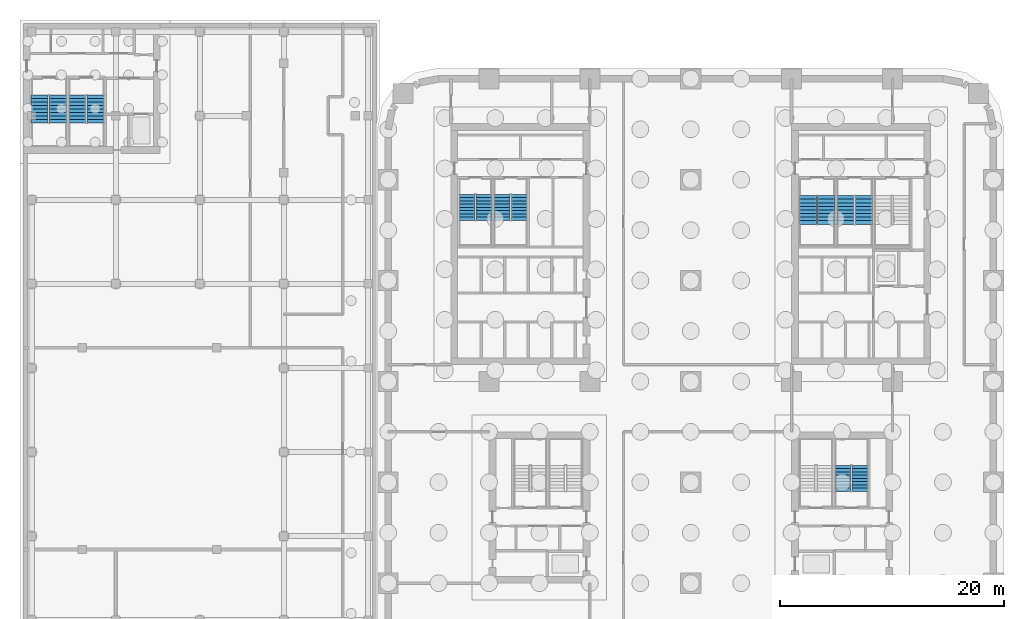
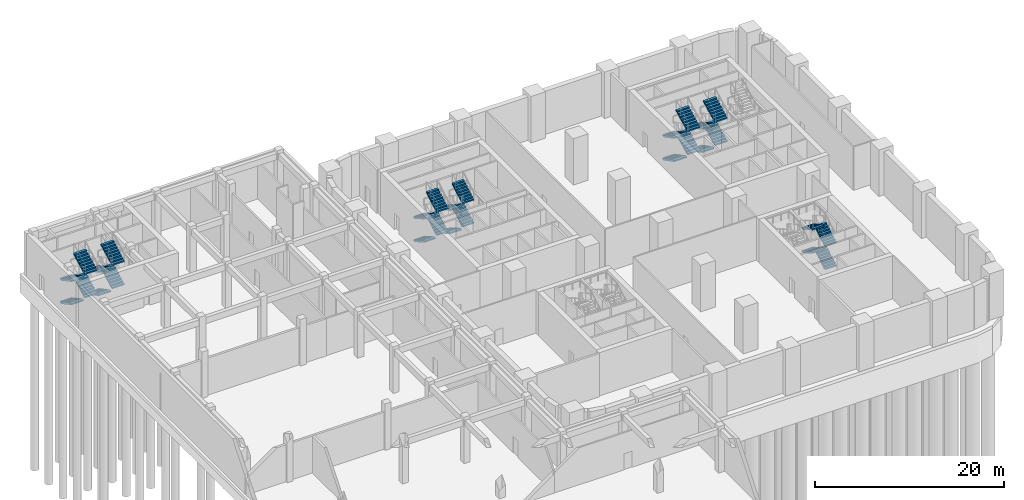
# One storey, part 16 of 26: 28 stair flights, 7 elements without a shape of their own.
"""IFC4 building model written with IfcOpenShell, lengths in metres."""

from ifc_helpers import new_model, si_unit, direction, frame, origin, place, context, subcontext, project, spatial, polyline, outline, extrude, material, type_object, element, aggregate, save


model = new_model("IFC4")

# Units and contexts
model_context = context("Model", 3, precision=1e-05, world=origin(), true_north=direction((0.0, 1.0)))
body_context = subcontext(model_context, "Body", "Model", "MODEL_VIEW")
ifc_project = project(units=[si_unit("LENGTHUNIT", "METRE"), si_unit("AREAUNIT", "SQUARE_METRE"), si_unit("VOLUMEUNIT", "CUBIC_METRE"), si_unit("PLANEANGLEUNIT", "RADIAN"), si_unit("MASSUNIT", "GRAM", prefix="KILO")], contexts=[model_context])

# Site, building, storey
site_placement = place(None, origin())
site = spatial("IfcSite", under=ifc_project, at=site_placement, CompositionType="ELEMENT")
building_placement = place(site_placement, origin())
building = spatial("IfcBuilding", under=site, at=building_placement, Name="Tessera Arch", CompositionType="ELEMENT")
storey_placement = place(building_placement, frame((0.0, 0.0, -6.0)))
storey = spatial("IfcBuildingStorey", under=building, at=storey_placement, Name="B1", CompositionType="ELEMENT", Elevation=-6.0)

# Stair, stair flights
ifc_material_1 = material(Name="Concrete C40/50", Category="concrete")
stair_type_1 = type_object("IfcStairType", Name="Dogleg stair 1400", PredefinedType="HALF_TURN_STAIR", material=ifc_material_1)
stair_1_placement = place(storey_placement, origin())
stair_1 = element("IfcStair", 1, at=stair_1_placement, inside=storey, type_object=stair_type_1, Name="B1 S2a", PredefinedType="HALF_TURN_STAIR")
ifc_material_2 = material(Name="Concrete C40/50", Category="concrete")
stair_flight_type_1 = type_object("IfcStairFlightType", Name="Stair flight 1400", PredefinedType="STRAIGHT", material=ifc_material_2)
stair_flight_1_placement = place(storey_placement, frame((7.0, 43.699951171875, 0.0), z_axis=(0.0, 0.0, 1.0), x_axis=(0.0, -1.0, 0.0)))
stair_flight_1 = element("IfcStairFlight", 2, at=stair_flight_1_placement, type_object=stair_flight_type_1, Name="S2a flight 1", NumberOfRisers=9, NumberOfTreads=8, PredefinedType="STRAIGHT", RiserHeight=0.166666667, TreadLength=0.29, context=body_context, shape_type="SweptSolid", body=[
    extrude(outline(polyline([(0.0, 0.0), (0.0, 0.166748046875), (0.2900390625, 0.166748046875), (0.2900390625, 0.333251953125), (0.580078125, 0.333251953125), (0.580078125, 0.5), (0.8701171875, 0.5), (0.8701171875, 0.666748046875), (1.159912109375, 0.666748046875), (1.159912109375, 0.833251953125), (1.449951171875, 0.833251953125), (1.449951171875, 1.0), (1.739990234375, 1.0), (1.739990234375, 1.166748046875), (2.030029296875, 1.166748046875), (2.030029296875, 1.333251953125), (2.320068359375, 1.333251953125), (2.320068359375, 1.5), (2.320068359375, 1.160400390625), (0.30078125, 0.0), (0.0, 0.0)])), frame((0.0, 0.699951171875, 0.0), z_axis=(0.0, -1.0, 0.0), x_axis=(1.0, 0.0, 0.0)), (0.0, 0.0, 1.0), 1.39990234375),
])
stair_flight_2_placement = place(storey_placement, frame((8.550048828125, 41.3798828125, 1.5), z_axis=(0.0, 0.0, 1.0), x_axis=(0.0, 1.0, 0.0)))
stair_flight_2 = element("IfcStairFlight", 3, at=stair_flight_2_placement, type_object=stair_flight_type_1, Name="S2a flight 2", NumberOfRisers=9, NumberOfTreads=8, PredefinedType="STRAIGHT", RiserHeight=0.166666667, TreadLength=0.29, context=body_context, shape_type="SweptSolid", body=[
    extrude(outline(polyline([(0.0, 0.0), (0.0, 0.166748046875), (0.2900390625, 0.166748046875), (0.2900390625, 0.333251953125), (0.580078125, 0.333251953125), (0.580078125, 0.5), (0.8701171875, 0.5), (0.8701171875, 0.666748046875), (1.159912109375, 0.666748046875), (1.159912109375, 0.833251953125), (1.449951171875, 0.833251953125), (1.449951171875, 1.0), (1.739990234375, 1.0), (1.739990234375, 1.166748046875), (2.030029296875, 1.166748046875), (2.030029296875, 1.333251953125), (2.320068359375, 1.333251953125), (2.320068359375, 1.5), (2.320068359375, 1.160400390625), (0.30078125, 0.0), (0.0, 0.0)])), frame((0.0, 0.699951171875, 0.0), z_axis=(0.0, -1.0, 0.0), x_axis=(1.0, 0.0, 0.0)), (0.0, 0.0, 1.0), 1.39990234375),
])
stair_flight_3_placement = place(storey_placement, frame((7.0, 43.699951171875, 3.0), z_axis=(0.0, 0.0, 1.0), x_axis=(0.0, -1.0, 0.0)))
stair_flight_3 = element("IfcStairFlight", 4, at=stair_flight_3_placement, type_object=stair_flight_type_1, Name="S2a flight 3", NumberOfRisers=9, NumberOfTreads=8, PredefinedType="STRAIGHT", RiserHeight=0.166666667, TreadLength=0.29, context=body_context, shape_type="SweptSolid", body=[
    extrude(outline(polyline([(0.0, 0.0), (0.0, 0.166748046875), (0.2900390625, 0.166748046875), (0.2900390625, 0.333251953125), (0.580078125, 0.333251953125), (0.580078125, 0.5), (0.8701171875, 0.5), (0.8701171875, 0.666748046875), (1.159912109375, 0.666748046875), (1.159912109375, 0.833251953125), (1.449951171875, 0.833251953125), (1.449951171875, 1.0), (1.739990234375, 1.0), (1.739990234375, 1.166748046875), (2.030029296875, 1.166748046875), (2.030029296875, 1.333251953125), (2.320068359375, 1.333251953125), (2.320068359375, 1.5), (2.320068359375, 1.160400390625), (0.30078125, 0.0), (0.0, 0.0)])), frame((0.0, 0.699951171875, 0.0), z_axis=(0.0, -1.0, 0.0), x_axis=(1.0, 0.0, 0.0)), (0.0, 0.0, 1.0), 1.39990234375),
])
stair_flight_4_placement = place(storey_placement, frame((8.550048828125, 41.3798828125, 4.5), z_axis=(0.0, 0.0, 1.0), x_axis=(0.0, 1.0, 0.0)))
stair_flight_4 = element("IfcStairFlight", 5, at=stair_flight_4_placement, type_object=stair_flight_type_1, Name="S2a flight 4", NumberOfRisers=9, NumberOfTreads=8, PredefinedType="STRAIGHT", RiserHeight=0.166666667, TreadLength=0.29, context=body_context, shape_type="SweptSolid", body=[
    extrude(outline(polyline([(0.0, 0.0), (0.0, 0.166748046875), (0.2900390625, 0.166748046875), (0.2900390625, 0.333251953125), (0.580078125, 0.333251953125), (0.580078125, 0.5), (0.8701171875, 0.5), (0.8701171875, 0.666748046875), (1.159912109375, 0.666748046875), (1.159912109375, 0.833251953125), (1.449951171875, 0.833251953125), (1.449951171875, 1.0), (1.739990234375, 1.0), (1.739990234375, 1.166748046875), (2.030029296875, 1.166748046875), (2.030029296875, 1.333251953125), (2.320068359375, 1.333251953125), (2.320068359375, 1.5), (2.320068359375, 1.160400390625), (0.30078125, 0.0), (0.0, 0.0)])), frame((0.0, 0.699951171875, 0.0), z_axis=(0.0, -1.0, 0.0), x_axis=(1.0, 0.0, 0.0)), (0.0, 0.0, 1.0), 1.39990234375),
])
aggregate(stair_1, [stair_flight_1, stair_flight_2, stair_flight_3, stair_flight_4])

stair_2_placement = place(storey_placement, origin())
stair_2 = element("IfcStair", 6, at=stair_2_placement, inside=storey, type_object=stair_type_1, Name="B1 S2b", PredefinedType="HALF_TURN_STAIR")
stair_flight_5_placement = place(storey_placement, frame((10.14990234375, 43.699951171875, 0.0), z_axis=(0.0, 0.0, 1.0), x_axis=(0.0, -1.0, 0.0)))
stair_flight_5 = element("IfcStairFlight", 7, at=stair_flight_5_placement, type_object=stair_flight_type_1, Name="S2b flight 1", NumberOfRisers=9, NumberOfTreads=8, PredefinedType="STRAIGHT", RiserHeight=0.166666667, TreadLength=0.29, context=body_context, shape_type="SweptSolid", body=[
    extrude(outline(polyline([(0.0, 0.0), (0.0, 0.166748046875), (0.2900390625, 0.166748046875), (0.2900390625, 0.333251953125), (0.580078125, 0.333251953125), (0.580078125, 0.5), (0.8701171875, 0.5), (0.8701171875, 0.666748046875), (1.159912109375, 0.666748046875), (1.159912109375, 0.833251953125), (1.449951171875, 0.833251953125), (1.449951171875, 1.0), (1.739990234375, 1.0), (1.739990234375, 1.166748046875), (2.030029296875, 1.166748046875), (2.030029296875, 1.333251953125), (2.320068359375, 1.333251953125), (2.320068359375, 1.5), (2.320068359375, 1.160400390625), (0.30078125, 0.0), (0.0, 0.0)])), frame((0.0, 0.699951171875, 0.0), z_axis=(0.0, -1.0, 0.0), x_axis=(1.0, 0.0, 0.0)), (0.0, 0.0, 1.0), 1.39990234375),
])
stair_flight_6_placement = place(storey_placement, frame((11.699951171875, 41.3798828125, 1.5), z_axis=(0.0, 0.0, 1.0), x_axis=(0.0, 1.0, 0.0)))
stair_flight_6 = element("IfcStairFlight", 8, at=stair_flight_6_placement, type_object=stair_flight_type_1, Name="S2b flight 2", NumberOfRisers=9, NumberOfTreads=8, PredefinedType="STRAIGHT", RiserHeight=0.166666667, TreadLength=0.29, context=body_context, shape_type="SweptSolid", body=[
    extrude(outline(polyline([(0.0, 0.0), (0.0, 0.166748046875), (0.2900390625, 0.166748046875), (0.2900390625, 0.333251953125), (0.580078125, 0.333251953125), (0.580078125, 0.5), (0.8701171875, 0.5), (0.8701171875, 0.666748046875), (1.159912109375, 0.666748046875), (1.159912109375, 0.833251953125), (1.449951171875, 0.833251953125), (1.449951171875, 1.0), (1.739990234375, 1.0), (1.739990234375, 1.166748046875), (2.030029296875, 1.166748046875), (2.030029296875, 1.333251953125), (2.320068359375, 1.333251953125), (2.320068359375, 1.5), (2.320068359375, 1.160400390625), (0.30078125, 0.0), (0.0, 0.0)])), frame((0.0, 0.699951171875, 0.0), z_axis=(0.0, -1.0, 0.0), x_axis=(1.0, 0.0, 0.0)), (0.0, 0.0, 1.0), 1.39990234375),
])
stair_flight_7_placement = place(storey_placement, frame((10.14990234375, 43.699951171875, 3.0), z_axis=(0.0, 0.0, 1.0), x_axis=(0.0, -1.0, 0.0)))
stair_flight_7 = element("IfcStairFlight", 9, at=stair_flight_7_placement, type_object=stair_flight_type_1, Name="S2b flight 3", NumberOfRisers=9, NumberOfTreads=8, PredefinedType="STRAIGHT", RiserHeight=0.166666667, TreadLength=0.29, context=body_context, shape_type="SweptSolid", body=[
    extrude(outline(polyline([(0.0, 0.0), (0.0, 0.166748046875), (0.2900390625, 0.166748046875), (0.2900390625, 0.333251953125), (0.580078125, 0.333251953125), (0.580078125, 0.5), (0.8701171875, 0.5), (0.8701171875, 0.666748046875), (1.159912109375, 0.666748046875), (1.159912109375, 0.833251953125), (1.449951171875, 0.833251953125), (1.449951171875, 1.0), (1.739990234375, 1.0), (1.739990234375, 1.166748046875), (2.030029296875, 1.166748046875), (2.030029296875, 1.333251953125), (2.320068359375, 1.333251953125), (2.320068359375, 1.5), (2.320068359375, 1.160400390625), (0.30078125, 0.0), (0.0, 0.0)])), frame((0.0, 0.699951171875, 0.0), z_axis=(0.0, -1.0, 0.0), x_axis=(1.0, 0.0, 0.0)), (0.0, 0.0, 1.0), 1.39990234375),
])
stair_flight_8_placement = place(storey_placement, frame((11.699951171875, 41.3798828125, 4.5), z_axis=(0.0, 0.0, 1.0), x_axis=(0.0, 1.0, 0.0)))
stair_flight_8 = element("IfcStairFlight", 10, at=stair_flight_8_placement, type_object=stair_flight_type_1, Name="S2b flight 4", NumberOfRisers=9, NumberOfTreads=8, PredefinedType="STRAIGHT", RiserHeight=0.166666667, TreadLength=0.29, context=body_context, shape_type="SweptSolid", body=[
    extrude(outline(polyline([(0.0, 0.0), (0.0, 0.166748046875), (0.2900390625, 0.166748046875), (0.2900390625, 0.333251953125), (0.580078125, 0.333251953125), (0.580078125, 0.5), (0.8701171875, 0.5), (0.8701171875, 0.666748046875), (1.159912109375, 0.666748046875), (1.159912109375, 0.833251953125), (1.449951171875, 0.833251953125), (1.449951171875, 1.0), (1.739990234375, 1.0), (1.739990234375, 1.166748046875), (2.030029296875, 1.166748046875), (2.030029296875, 1.333251953125), (2.320068359375, 1.333251953125), (2.320068359375, 1.5), (2.320068359375, 1.160400390625), (0.30078125, 0.0), (0.0, 0.0)])), frame((0.0, 0.699951171875, 0.0), z_axis=(0.0, -1.0, 0.0), x_axis=(1.0, 0.0, 0.0)), (0.0, 0.0, 1.0), 1.39990234375),
])
aggregate(stair_2, [stair_flight_5, stair_flight_6, stair_flight_7, stair_flight_8])

stair_3_placement = place(storey_placement, origin())
stair_3 = element("IfcStair", 11, at=stair_3_placement, inside=storey, type_object=stair_type_1, Name="B1 S3b", PredefinedType="HALF_TURN_STAIR")
stair_flight_9_placement = place(storey_placement, frame((42.10009765625, 17.199951171875, 0.0), z_axis=(0.0, 0.0, 1.0), x_axis=(0.0, 1.0, 0.0)))
stair_flight_9 = element("IfcStairFlight", 12, at=stair_flight_9_placement, type_object=stair_flight_type_1, Name="S3b flight 1", NumberOfRisers=9, NumberOfTreads=8, PredefinedType="STRAIGHT", RiserHeight=0.166666667, TreadLength=0.29, context=body_context, shape_type="SweptSolid", body=[
    extrude(outline(polyline([(0.0, 0.0), (0.0, 0.166748046875), (0.2900390625, 0.166748046875), (0.2900390625, 0.333251953125), (0.580078125, 0.333251953125), (0.580078125, 0.5), (0.8701171875, 0.5), (0.8701171875, 0.666748046875), (1.159912109375, 0.666748046875), (1.159912109375, 0.833251953125), (1.449951171875, 0.833251953125), (1.449951171875, 1.0), (1.739990234375, 1.0), (1.739990234375, 1.166748046875), (2.030029296875, 1.166748046875), (2.030029296875, 1.333251953125), (2.320068359375, 1.333251953125), (2.320068359375, 1.5), (2.320068359375, 1.160400390625), (0.30078125, 0.0), (0.0, 0.0)])), frame((0.0, 0.699951171875, 0.0), z_axis=(0.0, -1.0, 0.0), x_axis=(1.0, 0.0, 0.0)), (0.0, 0.0, 1.0), 1.39990234375),
])
stair_flight_10_placement = place(storey_placement, frame((40.550048828125, 19.52001953125, 1.5), z_axis=(0.0, 0.0, 1.0), x_axis=(0.0, -1.0, 0.0)))
stair_flight_10 = element("IfcStairFlight", 13, at=stair_flight_10_placement, type_object=stair_flight_type_1, Name="S3b flight 2", NumberOfRisers=9, NumberOfTreads=8, PredefinedType="STRAIGHT", RiserHeight=0.166666667, TreadLength=0.29, context=body_context, shape_type="SweptSolid", body=[
    extrude(outline(polyline([(0.0, 0.0), (0.0, 0.166748046875), (0.2900390625, 0.166748046875), (0.2900390625, 0.333251953125), (0.580078125, 0.333251953125), (0.580078125, 0.5), (0.8701171875, 0.5), (0.8701171875, 0.666748046875), (1.159912109375, 0.666748046875), (1.159912109375, 0.833251953125), (1.449951171875, 0.833251953125), (1.449951171875, 1.0), (1.739990234375, 1.0), (1.739990234375, 1.166748046875), (2.030029296875, 1.166748046875), (2.030029296875, 1.333251953125), (2.320068359375, 1.333251953125), (2.320068359375, 1.5), (2.320068359375, 1.160400390625), (0.30078125, 0.0), (0.0, 0.0)])), frame((0.0, 0.699951171875, 0.0), z_axis=(0.0, -1.0, 0.0), x_axis=(1.0, 0.0, 0.0)), (0.0, 0.0, 1.0), 1.39990234375),
])
stair_flight_11_placement = place(storey_placement, frame((42.10009765625, 17.199951171875, 3.0), z_axis=(0.0, 0.0, 1.0), x_axis=(0.0, 1.0, 0.0)))
stair_flight_11 = element("IfcStairFlight", 14, at=stair_flight_11_placement, type_object=stair_flight_type_1, Name="S3b flight 3", NumberOfRisers=9, NumberOfTreads=8, PredefinedType="STRAIGHT", RiserHeight=0.166666667, TreadLength=0.29, context=body_context, shape_type="SweptSolid", body=[
    extrude(outline(polyline([(0.0, 0.0), (0.0, 0.166748046875), (0.2900390625, 0.166748046875), (0.2900390625, 0.333251953125), (0.580078125, 0.333251953125), (0.580078125, 0.5), (0.8701171875, 0.5), (0.8701171875, 0.666748046875), (1.159912109375, 0.666748046875), (1.159912109375, 0.833251953125), (1.449951171875, 0.833251953125), (1.449951171875, 1.0), (1.739990234375, 1.0), (1.739990234375, 1.166748046875), (2.030029296875, 1.166748046875), (2.030029296875, 1.333251953125), (2.320068359375, 1.333251953125), (2.320068359375, 1.5), (2.320068359375, 1.160400390625), (0.30078125, 0.0), (0.0, 0.0)])), frame((0.0, 0.699951171875, 0.0), z_axis=(0.0, -1.0, 0.0), x_axis=(1.0, 0.0, 0.0)), (0.0, 0.0, 1.0), 1.39990234375),
])
stair_flight_12_placement = place(storey_placement, frame((40.550048828125, 19.52001953125, 4.5), z_axis=(0.0, 0.0, 1.0), x_axis=(0.0, -1.0, 0.0)))
stair_flight_12 = element("IfcStairFlight", 15, at=stair_flight_12_placement, type_object=stair_flight_type_1, Name="S3b flight 4", NumberOfRisers=9, NumberOfTreads=8, PredefinedType="STRAIGHT", RiserHeight=0.166666667, TreadLength=0.29, context=body_context, shape_type="SweptSolid", body=[
    extrude(outline(polyline([(0.0, 0.0), (0.0, 0.166748046875), (0.2900390625, 0.166748046875), (0.2900390625, 0.333251953125), (0.580078125, 0.333251953125), (0.580078125, 0.5), (0.8701171875, 0.5), (0.8701171875, 0.666748046875), (1.159912109375, 0.666748046875), (1.159912109375, 0.833251953125), (1.449951171875, 0.833251953125), (1.449951171875, 1.0), (1.739990234375, 1.0), (1.739990234375, 1.166748046875), (2.030029296875, 1.166748046875), (2.030029296875, 1.333251953125), (2.320068359375, 1.333251953125), (2.320068359375, 1.5), (2.320068359375, 1.160400390625), (0.30078125, 0.0), (0.0, 0.0)])), frame((0.0, 0.699951171875, 0.0), z_axis=(0.0, -1.0, 0.0), x_axis=(1.0, 0.0, 0.0)), (0.0, 0.0, 1.0), 1.39990234375),
])
aggregate(stair_3, [stair_flight_9, stair_flight_10, stair_flight_11, stair_flight_12])

ifc_material_3 = material(Name="Concrete C40/50", Category="concrete")
stair_type_2 = type_object("IfcStairType", Name="Dogleg stair 1500", PredefinedType="HALF_TURN_STAIR", material=ifc_material_3)
stair_4_placement = place(storey_placement, origin())
stair_4 = element("IfcStair", 16, at=stair_4_placement, inside=storey, type_object=stair_type_2, Name="B1 M1a", PredefinedType="HALF_TURN_STAIR")
ifc_material_4 = material(Name="Concrete C40/50", Category="concrete")
stair_flight_type_2 = type_object("IfcStairFlightType", Name="Stair flight 1500", PredefinedType="STRAIGHT", material=ifc_material_4)
stair_flight_13_placement = place(storey_placement, frame((-31.10009765625, 52.550048828125, 0.0), z_axis=(0.0, 0.0, 1.0), x_axis=(0.0, -1.0, 0.0)))
stair_flight_13 = element("IfcStairFlight", 17, at=stair_flight_13_placement, type_object=stair_flight_type_2, Name="M1a flight 1", NumberOfRisers=9, NumberOfTreads=8, PredefinedType="STRAIGHT", RiserHeight=0.166666667, TreadLength=0.31, context=body_context, shape_type="SweptSolid", body=[
    extrude(outline(polyline([(0.0, 0.0), (0.0, 0.166748046875), (0.31005859375, 0.166748046875), (0.31005859375, 0.333251953125), (0.6201171875, 0.333251953125), (0.6201171875, 0.5), (0.929931640625, 0.5), (0.929931640625, 0.666748046875), (1.239990234375, 0.666748046875), (1.239990234375, 0.833251953125), (1.550048828125, 0.833251953125), (1.550048828125, 1.0), (1.860107421875, 1.0), (1.860107421875, 1.166748046875), (2.169921875, 1.166748046875), (2.169921875, 1.333251953125), (2.47998046875, 1.333251953125), (2.47998046875, 1.5), (2.47998046875, 1.1630859375), (0.316650390625, 0.0), (0.0, 0.0)])), frame((0.0, 0.75, 0.0), z_axis=(0.0, -1.0, 0.0), x_axis=(1.0, 0.0, 0.0)), (0.0, 0.0, 1.0), 1.5),
])
stair_flight_14_placement = place(storey_placement, frame((-29.449951171875, 50.070068359375, 1.5), z_axis=(0.0, 0.0, 1.0), x_axis=(0.0, 1.0, 0.0)))
stair_flight_14 = element("IfcStairFlight", 18, at=stair_flight_14_placement, type_object=stair_flight_type_2, Name="M1a flight 2", NumberOfRisers=9, NumberOfTreads=8, PredefinedType="STRAIGHT", RiserHeight=0.166666667, TreadLength=0.31, context=body_context, shape_type="SweptSolid", body=[
    extrude(outline(polyline([(0.0, 0.0), (0.0, 0.166748046875), (0.31005859375, 0.166748046875), (0.31005859375, 0.333251953125), (0.6201171875, 0.333251953125), (0.6201171875, 0.5), (0.929931640625, 0.5), (0.929931640625, 0.666748046875), (1.239990234375, 0.666748046875), (1.239990234375, 0.833251953125), (1.550048828125, 0.833251953125), (1.550048828125, 1.0), (1.860107421875, 1.0), (1.860107421875, 1.166748046875), (2.169921875, 1.166748046875), (2.169921875, 1.333251953125), (2.47998046875, 1.333251953125), (2.47998046875, 1.5), (2.47998046875, 1.1630859375), (0.316650390625, 0.0), (0.0, 0.0)])), frame((0.0, 0.75, 0.0), z_axis=(0.0, -1.0, 0.0), x_axis=(1.0, 0.0, 0.0)), (0.0, 0.0, 1.0), 1.5),
])
stair_flight_15_placement = place(storey_placement, frame((-31.10009765625, 52.550048828125, 3.0), z_axis=(0.0, 0.0, 1.0), x_axis=(0.0, -1.0, 0.0)))
stair_flight_15 = element("IfcStairFlight", 19, at=stair_flight_15_placement, type_object=stair_flight_type_2, Name="M1a flight 3", NumberOfRisers=9, NumberOfTreads=8, PredefinedType="STRAIGHT", RiserHeight=0.166666667, TreadLength=0.31, context=body_context, shape_type="SweptSolid", body=[
    extrude(outline(polyline([(0.0, 0.0), (0.0, 0.166748046875), (0.31005859375, 0.166748046875), (0.31005859375, 0.333251953125), (0.6201171875, 0.333251953125), (0.6201171875, 0.5), (0.929931640625, 0.5), (0.929931640625, 0.666748046875), (1.239990234375, 0.666748046875), (1.239990234375, 0.833251953125), (1.550048828125, 0.833251953125), (1.550048828125, 1.0), (1.860107421875, 1.0), (1.860107421875, 1.166748046875), (2.169921875, 1.166748046875), (2.169921875, 1.333251953125), (2.47998046875, 1.333251953125), (2.47998046875, 1.5), (2.47998046875, 1.1630859375), (0.316650390625, 0.0), (0.0, 0.0)])), frame((0.0, 0.75, 0.0), z_axis=(0.0, -1.0, 0.0), x_axis=(1.0, 0.0, 0.0)), (0.0, 0.0, 1.0), 1.5),
])
stair_flight_16_placement = place(storey_placement, frame((-29.449951171875, 50.070068359375, 4.5), z_axis=(0.0, 0.0, 1.0), x_axis=(0.0, 1.0, 0.0)))
stair_flight_16 = element("IfcStairFlight", 20, at=stair_flight_16_placement, type_object=stair_flight_type_2, Name="M1a flight 4", NumberOfRisers=9, NumberOfTreads=8, PredefinedType="STRAIGHT", RiserHeight=0.166666667, TreadLength=0.31, context=body_context, shape_type="SweptSolid", body=[
    extrude(outline(polyline([(0.0, 0.0), (0.0, 0.166748046875), (0.31005859375, 0.166748046875), (0.31005859375, 0.333251953125), (0.6201171875, 0.333251953125), (0.6201171875, 0.5), (0.929931640625, 0.5), (0.929931640625, 0.666748046875), (1.239990234375, 0.666748046875), (1.239990234375, 0.833251953125), (1.550048828125, 0.833251953125), (1.550048828125, 1.0), (1.860107421875, 1.0), (1.860107421875, 1.166748046875), (2.169921875, 1.166748046875), (2.169921875, 1.333251953125), (2.47998046875, 1.333251953125), (2.47998046875, 1.5), (2.47998046875, 1.1630859375), (0.316650390625, 0.0), (0.0, 0.0)])), frame((0.0, 0.75, 0.0), z_axis=(0.0, -1.0, 0.0), x_axis=(1.0, 0.0, 0.0)), (0.0, 0.0, 1.0), 1.5),
])
aggregate(stair_4, [stair_flight_13, stair_flight_14, stair_flight_15, stair_flight_16])

stair_5_placement = place(storey_placement, origin())
stair_5 = element("IfcStair", 21, at=stair_5_placement, inside=storey, type_object=stair_type_2, Name="B1 M1b", PredefinedType="HALF_TURN_STAIR")
stair_flight_17_placement = place(storey_placement, frame((-27.75, 52.550048828125, 0.0), z_axis=(0.0, 0.0, 1.0), x_axis=(0.0, -1.0, 0.0)))
stair_flight_17 = element("IfcStairFlight", 22, at=stair_flight_17_placement, type_object=stair_flight_type_2, Name="M1b flight 1", NumberOfRisers=9, NumberOfTreads=8, PredefinedType="STRAIGHT", RiserHeight=0.166666667, TreadLength=0.31, context=body_context, shape_type="SweptSolid", body=[
    extrude(outline(polyline([(0.0, 0.0), (0.0, 0.166748046875), (0.31005859375, 0.166748046875), (0.31005859375, 0.333251953125), (0.6201171875, 0.333251953125), (0.6201171875, 0.5), (0.929931640625, 0.5), (0.929931640625, 0.666748046875), (1.239990234375, 0.666748046875), (1.239990234375, 0.833251953125), (1.550048828125, 0.833251953125), (1.550048828125, 1.0), (1.860107421875, 1.0), (1.860107421875, 1.166748046875), (2.169921875, 1.166748046875), (2.169921875, 1.333251953125), (2.47998046875, 1.333251953125), (2.47998046875, 1.5), (2.47998046875, 1.1630859375), (0.316650390625, 0.0), (0.0, 0.0)])), frame((0.0, 0.75, 0.0), z_axis=(0.0, -1.0, 0.0), x_axis=(1.0, 0.0, 0.0)), (0.0, 0.0, 1.0), 1.5),
])
stair_flight_18_placement = place(storey_placement, frame((-26.10009765625, 50.070068359375, 1.5), z_axis=(0.0, 0.0, 1.0), x_axis=(0.0, 1.0, 0.0)))
stair_flight_18 = element("IfcStairFlight", 23, at=stair_flight_18_placement, type_object=stair_flight_type_2, Name="M1b flight 2", NumberOfRisers=9, NumberOfTreads=8, PredefinedType="STRAIGHT", RiserHeight=0.166666667, TreadLength=0.31, context=body_context, shape_type="SweptSolid", body=[
    extrude(outline(polyline([(0.0, 0.0), (0.0, 0.166748046875), (0.31005859375, 0.166748046875), (0.31005859375, 0.333251953125), (0.6201171875, 0.333251953125), (0.6201171875, 0.5), (0.929931640625, 0.5), (0.929931640625, 0.666748046875), (1.239990234375, 0.666748046875), (1.239990234375, 0.833251953125), (1.550048828125, 0.833251953125), (1.550048828125, 1.0), (1.860107421875, 1.0), (1.860107421875, 1.166748046875), (2.169921875, 1.166748046875), (2.169921875, 1.333251953125), (2.47998046875, 1.333251953125), (2.47998046875, 1.5), (2.47998046875, 1.1630859375), (0.316650390625, 0.0), (0.0, 0.0)])), frame((0.0, 0.75, 0.0), z_axis=(0.0, -1.0, 0.0), x_axis=(1.0, 0.0, 0.0)), (0.0, 0.0, 1.0), 1.5),
])
stair_flight_19_placement = place(storey_placement, frame((-27.75, 52.550048828125, 3.0), z_axis=(0.0, 0.0, 1.0), x_axis=(0.0, -1.0, 0.0)))
stair_flight_19 = element("IfcStairFlight", 24, at=stair_flight_19_placement, type_object=stair_flight_type_2, Name="M1b flight 3", NumberOfRisers=9, NumberOfTreads=8, PredefinedType="STRAIGHT", RiserHeight=0.166666667, TreadLength=0.31, context=body_context, shape_type="SweptSolid", body=[
    extrude(outline(polyline([(0.0, 0.0), (0.0, 0.166748046875), (0.31005859375, 0.166748046875), (0.31005859375, 0.333251953125), (0.6201171875, 0.333251953125), (0.6201171875, 0.5), (0.929931640625, 0.5), (0.929931640625, 0.666748046875), (1.239990234375, 0.666748046875), (1.239990234375, 0.833251953125), (1.550048828125, 0.833251953125), (1.550048828125, 1.0), (1.860107421875, 1.0), (1.860107421875, 1.166748046875), (2.169921875, 1.166748046875), (2.169921875, 1.333251953125), (2.47998046875, 1.333251953125), (2.47998046875, 1.5), (2.47998046875, 1.1630859375), (0.316650390625, 0.0), (0.0, 0.0)])), frame((0.0, 0.75, 0.0), z_axis=(0.0, -1.0, 0.0), x_axis=(1.0, 0.0, 0.0)), (0.0, 0.0, 1.0), 1.5),
])
stair_flight_20_placement = place(storey_placement, frame((-26.10009765625, 50.070068359375, 4.5), z_axis=(0.0, 0.0, 1.0), x_axis=(0.0, 1.0, 0.0)))
stair_flight_20 = element("IfcStairFlight", 25, at=stair_flight_20_placement, type_object=stair_flight_type_2, Name="M1b flight 4", NumberOfRisers=9, NumberOfTreads=8, PredefinedType="STRAIGHT", RiserHeight=0.166666667, TreadLength=0.31, context=body_context, shape_type="SweptSolid", body=[
    extrude(outline(polyline([(0.0, 0.0), (0.0, 0.166748046875), (0.31005859375, 0.166748046875), (0.31005859375, 0.333251953125), (0.6201171875, 0.333251953125), (0.6201171875, 0.5), (0.929931640625, 0.5), (0.929931640625, 0.666748046875), (1.239990234375, 0.666748046875), (1.239990234375, 0.833251953125), (1.550048828125, 0.833251953125), (1.550048828125, 1.0), (1.860107421875, 1.0), (1.860107421875, 1.166748046875), (2.169921875, 1.166748046875), (2.169921875, 1.333251953125), (2.47998046875, 1.333251953125), (2.47998046875, 1.5), (2.47998046875, 1.1630859375), (0.316650390625, 0.0), (0.0, 0.0)])), frame((0.0, 0.75, 0.0), z_axis=(0.0, -1.0, 0.0), x_axis=(1.0, 0.0, 0.0)), (0.0, 0.0, 1.0), 1.5),
])
aggregate(stair_5, [stair_flight_17, stair_flight_18, stair_flight_19, stair_flight_20])

ifc_material_5 = material(Name="Concrete C40/50", Category="concrete")
stair_type_3 = type_object("IfcStairType", Name="Dogleg stair 1520", PredefinedType="HALF_TURN_STAIR", material=ifc_material_5)
stair_6_placement = place(storey_placement, origin())
stair_6 = element("IfcStair", 26, at=stair_6_placement, inside=storey, type_object=stair_type_3, Name="B1 S1a", PredefinedType="HALF_TURN_STAIR")
ifc_material_6 = material(Name="Concrete C40/50", Category="concrete")
stair_flight_type_3 = type_object("IfcStairFlightType", Name="Stair flight 1520", PredefinedType="STRAIGHT", material=ifc_material_6)
stair_flight_21_placement = place(storey_placement, frame((37.4599609375, 43.580078125, 0.0), z_axis=(0.0, 0.0, 1.0), x_axis=(0.0, -1.0, 0.0)))
stair_flight_21 = element("IfcStairFlight", 27, at=stair_flight_21_placement, type_object=stair_flight_type_3, Name="S1a flight 1", NumberOfRisers=9, NumberOfTreads=8, PredefinedType="STRAIGHT", RiserHeight=0.166666667, TreadLength=0.32, context=body_context, shape_type="SweptSolid", body=[
    extrude(outline(polyline([(0.0, 0.0), (0.0, 0.166748046875), (0.320068359375, 0.166748046875), (0.320068359375, 0.333251953125), (0.639892578125, 0.333251953125), (0.639892578125, 0.5), (0.9599609375, 0.5), (0.9599609375, 0.666748046875), (1.280029296875, 0.666748046875), (1.280029296875, 0.833251953125), (1.60009765625, 0.833251953125), (1.60009765625, 1.0), (1.919921875, 1.0), (1.919921875, 1.166748046875), (2.239990234375, 1.166748046875), (2.239990234375, 1.333251953125), (2.56005859375, 1.333251953125), (2.56005859375, 1.5), (2.56005859375, 1.164306640625), (0.324462890625, 0.0), (0.0, 0.0)])), frame((0.0, 0.760009765625, 0.0), z_axis=(0.0, -1.0, 0.0), x_axis=(1.0, 0.0, 0.0)), (0.0, 0.0, 1.0), 1.52001953125),
])
stair_flight_22_placement = place(storey_placement, frame((39.090087890625, 41.02001953125, 1.5), z_axis=(0.0, 0.0, 1.0), x_axis=(0.0, 1.0, 0.0)))
stair_flight_22 = element("IfcStairFlight", 28, at=stair_flight_22_placement, type_object=stair_flight_type_3, Name="S1a flight 2", NumberOfRisers=9, NumberOfTreads=8, PredefinedType="STRAIGHT", RiserHeight=0.166666667, TreadLength=0.32, context=body_context, shape_type="SweptSolid", body=[
    extrude(outline(polyline([(0.0, 0.0), (0.0, 0.166748046875), (0.320068359375, 0.166748046875), (0.320068359375, 0.333251953125), (0.639892578125, 0.333251953125), (0.639892578125, 0.5), (0.9599609375, 0.5), (0.9599609375, 0.666748046875), (1.280029296875, 0.666748046875), (1.280029296875, 0.833251953125), (1.60009765625, 0.833251953125), (1.60009765625, 1.0), (1.919921875, 1.0), (1.919921875, 1.166748046875), (2.239990234375, 1.166748046875), (2.239990234375, 1.333251953125), (2.56005859375, 1.333251953125), (2.56005859375, 1.5), (2.56005859375, 1.164306640625), (0.324462890625, 0.0), (0.0, 0.0)])), frame((0.0, 0.760009765625, 0.0), z_axis=(0.0, -1.0, 0.0), x_axis=(1.0, 0.0, 0.0)), (0.0, 0.0, 1.0), 1.52001953125),
])
stair_flight_23_placement = place(storey_placement, frame((37.4599609375, 43.580078125, 3.0), z_axis=(0.0, 0.0, 1.0), x_axis=(0.0, -1.0, 0.0)))
stair_flight_23 = element("IfcStairFlight", 29, at=stair_flight_23_placement, type_object=stair_flight_type_3, Name="S1a flight 3", NumberOfRisers=9, NumberOfTreads=8, PredefinedType="STRAIGHT", RiserHeight=0.166666667, TreadLength=0.32, context=body_context, shape_type="SweptSolid", body=[
    extrude(outline(polyline([(0.0, 0.0), (0.0, 0.166748046875), (0.320068359375, 0.166748046875), (0.320068359375, 0.333251953125), (0.639892578125, 0.333251953125), (0.639892578125, 0.5), (0.9599609375, 0.5), (0.9599609375, 0.666748046875), (1.280029296875, 0.666748046875), (1.280029296875, 0.833251953125), (1.60009765625, 0.833251953125), (1.60009765625, 1.0), (1.919921875, 1.0), (1.919921875, 1.166748046875), (2.239990234375, 1.166748046875), (2.239990234375, 1.333251953125), (2.56005859375, 1.333251953125), (2.56005859375, 1.5), (2.56005859375, 1.164306640625), (0.324462890625, 0.0), (0.0, 0.0)])), frame((0.0, 0.760009765625, 0.0), z_axis=(0.0, -1.0, 0.0), x_axis=(1.0, 0.0, 0.0)), (0.0, 0.0, 1.0), 1.52001953125),
])
stair_flight_24_placement = place(storey_placement, frame((39.090087890625, 41.02001953125, 4.5), z_axis=(0.0, 0.0, 1.0), x_axis=(0.0, 1.0, 0.0)))
stair_flight_24 = element("IfcStairFlight", 30, at=stair_flight_24_placement, type_object=stair_flight_type_3, Name="S1a flight 4", NumberOfRisers=9, NumberOfTreads=8, PredefinedType="STRAIGHT", RiserHeight=0.166666667, TreadLength=0.32, context=body_context, shape_type="SweptSolid", body=[
    extrude(outline(polyline([(0.0, 0.0), (0.0, 0.166748046875), (0.320068359375, 0.166748046875), (0.320068359375, 0.333251953125), (0.639892578125, 0.333251953125), (0.639892578125, 0.5), (0.9599609375, 0.5), (0.9599609375, 0.666748046875), (1.280029296875, 0.666748046875), (1.280029296875, 0.833251953125), (1.60009765625, 0.833251953125), (1.60009765625, 1.0), (1.919921875, 1.0), (1.919921875, 1.166748046875), (2.239990234375, 1.166748046875), (2.239990234375, 1.333251953125), (2.56005859375, 1.333251953125), (2.56005859375, 1.5), (2.56005859375, 1.164306640625), (0.324462890625, 0.0), (0.0, 0.0)])), frame((0.0, 0.760009765625, 0.0), z_axis=(0.0, -1.0, 0.0), x_axis=(1.0, 0.0, 0.0)), (0.0, 0.0, 1.0), 1.52001953125),
])
aggregate(stair_6, [stair_flight_21, stair_flight_22, stair_flight_23, stair_flight_24])

stair_7_placement = place(storey_placement, origin())
stair_7 = element("IfcStair", 31, at=stair_7_placement, inside=storey, type_object=stair_type_3, Name="B1 S1b", PredefinedType="HALF_TURN_STAIR")
stair_flight_25_placement = place(storey_placement, frame((40.81005859375, 43.580078125, 0.0), z_axis=(0.0, 0.0, 1.0), x_axis=(0.0, -1.0, 0.0)))
stair_flight_25 = element("IfcStairFlight", 32, at=stair_flight_25_placement, type_object=stair_flight_type_3, Name="S1b flight 1", NumberOfRisers=9, NumberOfTreads=8, PredefinedType="STRAIGHT", RiserHeight=0.166666667, TreadLength=0.32, context=body_context, shape_type="SweptSolid", body=[
    extrude(outline(polyline([(0.0, 0.0), (0.0, 0.166748046875), (0.320068359375, 0.166748046875), (0.320068359375, 0.333251953125), (0.639892578125, 0.333251953125), (0.639892578125, 0.5), (0.9599609375, 0.5), (0.9599609375, 0.666748046875), (1.280029296875, 0.666748046875), (1.280029296875, 0.833251953125), (1.60009765625, 0.833251953125), (1.60009765625, 1.0), (1.919921875, 1.0), (1.919921875, 1.166748046875), (2.239990234375, 1.166748046875), (2.239990234375, 1.333251953125), (2.56005859375, 1.333251953125), (2.56005859375, 1.5), (2.56005859375, 1.164306640625), (0.324462890625, 0.0), (0.0, 0.0)])), frame((0.0, 0.760009765625, 0.0), z_axis=(0.0, -1.0, 0.0), x_axis=(1.0, 0.0, 0.0)), (0.0, 0.0, 1.0), 1.52001953125),
])
stair_flight_26_placement = place(storey_placement, frame((42.43994140625, 41.02001953125, 1.5), z_axis=(0.0, 0.0, 1.0), x_axis=(0.0, 1.0, 0.0)))
stair_flight_26 = element("IfcStairFlight", 33, at=stair_flight_26_placement, type_object=stair_flight_type_3, Name="S1b flight 2", NumberOfRisers=9, NumberOfTreads=8, PredefinedType="STRAIGHT", RiserHeight=0.166666667, TreadLength=0.32, context=body_context, shape_type="SweptSolid", body=[
    extrude(outline(polyline([(0.0, 0.0), (0.0, 0.166748046875), (0.320068359375, 0.166748046875), (0.320068359375, 0.333251953125), (0.639892578125, 0.333251953125), (0.639892578125, 0.5), (0.9599609375, 0.5), (0.9599609375, 0.666748046875), (1.280029296875, 0.666748046875), (1.280029296875, 0.833251953125), (1.60009765625, 0.833251953125), (1.60009765625, 1.0), (1.919921875, 1.0), (1.919921875, 1.166748046875), (2.239990234375, 1.166748046875), (2.239990234375, 1.333251953125), (2.56005859375, 1.333251953125), (2.56005859375, 1.5), (2.56005859375, 1.164306640625), (0.324462890625, 0.0), (0.0, 0.0)])), frame((0.0, 0.760009765625, 0.0), z_axis=(0.0, -1.0, 0.0), x_axis=(1.0, 0.0, 0.0)), (0.0, 0.0, 1.0), 1.52001953125),
])
stair_flight_27_placement = place(storey_placement, frame((40.81005859375, 43.580078125, 3.0), z_axis=(0.0, 0.0, 1.0), x_axis=(0.0, -1.0, 0.0)))
stair_flight_27 = element("IfcStairFlight", 34, at=stair_flight_27_placement, type_object=stair_flight_type_3, Name="S1b flight 3", NumberOfRisers=9, NumberOfTreads=8, PredefinedType="STRAIGHT", RiserHeight=0.166666667, TreadLength=0.32, context=body_context, shape_type="SweptSolid", body=[
    extrude(outline(polyline([(0.0, 0.0), (0.0, 0.166748046875), (0.320068359375, 0.166748046875), (0.320068359375, 0.333251953125), (0.639892578125, 0.333251953125), (0.639892578125, 0.5), (0.9599609375, 0.5), (0.9599609375, 0.666748046875), (1.280029296875, 0.666748046875), (1.280029296875, 0.833251953125), (1.60009765625, 0.833251953125), (1.60009765625, 1.0), (1.919921875, 1.0), (1.919921875, 1.166748046875), (2.239990234375, 1.166748046875), (2.239990234375, 1.333251953125), (2.56005859375, 1.333251953125), (2.56005859375, 1.5), (2.56005859375, 1.164306640625), (0.324462890625, 0.0), (0.0, 0.0)])), frame((0.0, 0.760009765625, 0.0), z_axis=(0.0, -1.0, 0.0), x_axis=(1.0, 0.0, 0.0)), (0.0, 0.0, 1.0), 1.52001953125),
])
stair_flight_28_placement = place(storey_placement, frame((42.43994140625, 41.02001953125, 4.5), z_axis=(0.0, 0.0, 1.0), x_axis=(0.0, 1.0, 0.0)))
stair_flight_28 = element("IfcStairFlight", 35, at=stair_flight_28_placement, type_object=stair_flight_type_3, Name="S1b flight 4", NumberOfRisers=9, NumberOfTreads=8, PredefinedType="STRAIGHT", RiserHeight=0.166666667, TreadLength=0.32, context=body_context, shape_type="SweptSolid", body=[
    extrude(outline(polyline([(0.0, 0.0), (0.0, 0.166748046875), (0.320068359375, 0.166748046875), (0.320068359375, 0.333251953125), (0.639892578125, 0.333251953125), (0.639892578125, 0.5), (0.9599609375, 0.5), (0.9599609375, 0.666748046875), (1.280029296875, 0.666748046875), (1.280029296875, 0.833251953125), (1.60009765625, 0.833251953125), (1.60009765625, 1.0), (1.919921875, 1.0), (1.919921875, 1.166748046875), (2.239990234375, 1.166748046875), (2.239990234375, 1.333251953125), (2.56005859375, 1.333251953125), (2.56005859375, 1.5), (2.56005859375, 1.164306640625), (0.324462890625, 0.0), (0.0, 0.0)])), frame((0.0, 0.760009765625, 0.0), z_axis=(0.0, -1.0, 0.0), x_axis=(1.0, 0.0, 0.0)), (0.0, 0.0, 1.0), 1.52001953125),
])
aggregate(stair_7, [stair_flight_25, stair_flight_26, stair_flight_27, stair_flight_28])

save(model, "model.ifc")
